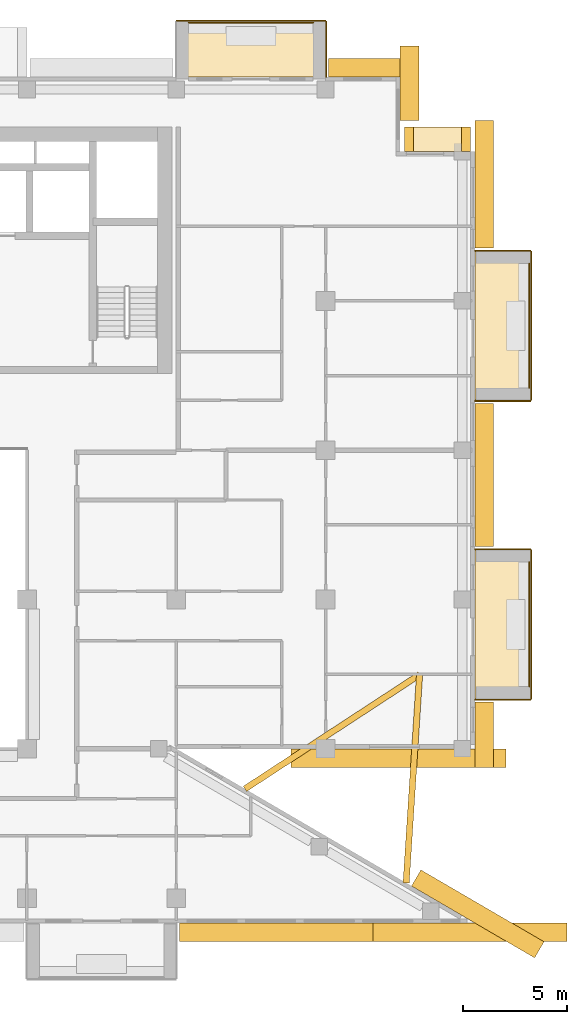
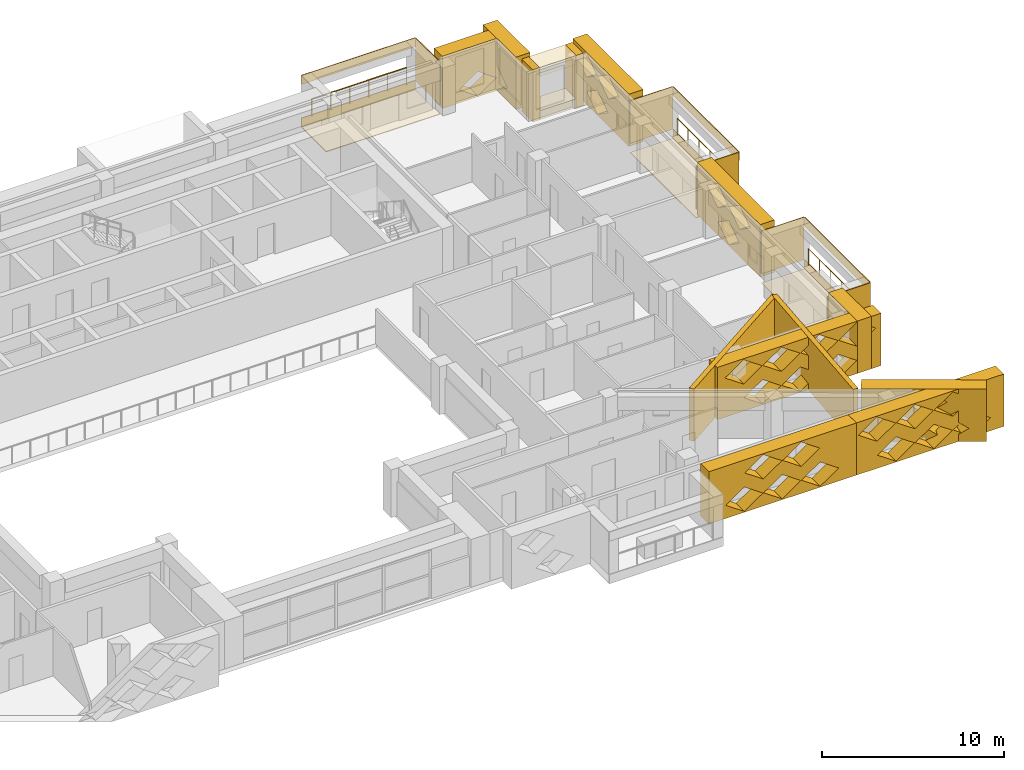
# One storey, part 20 of 20: 29 coverings, 3 railings.
"""IFC4 building model written with IfcOpenShell, lengths in metres."""

from ifc_helpers import new_model, si_unit, direction, frame, origin, origin_2d, place, context, subcontext, project, spatial, polyline, circle, outline, extrude, material, layer, layer_set, type_object, element, save


model = new_model("IFC4")

# Units and contexts
model_context = context("Model", 3, precision=1e-05, world=origin(), true_north=direction((0.0, 1.0)))
body_context = subcontext(model_context, "Body", "Model", "MODEL_VIEW")
ifc_project = project(units=[si_unit("LENGTHUNIT", "METRE"), si_unit("AREAUNIT", "SQUARE_METRE"), si_unit("VOLUMEUNIT", "CUBIC_METRE"), si_unit("PLANEANGLEUNIT", "RADIAN"), si_unit("MASSUNIT", "GRAM", prefix="KILO")], contexts=[model_context])

# Site, building, storey
site_placement = place(None, origin())
site = spatial("IfcSite", under=ifc_project, at=site_placement, CompositionType="ELEMENT")
building_placement = place(site_placement, origin())
building = spatial("IfcBuilding", under=site, at=building_placement, Name="Saffron Iwan Residences", CompositionType="ELEMENT")
storey_placement = place(building_placement, frame((0.0, 0.0, 188.5)))
storey = spatial("IfcBuildingStorey", under=building, at=storey_placement, Name="L50", CompositionType="ELEMENT", Elevation=188.5)

# Railings
ifc_material_1 = material(Name="Stainless steel 316", Category="steel")
railing_type = type_object("IfcRailingType", Name="BALCONY GUARD 1150", PredefinedType="GUARDRAIL", material=ifc_material_1)
for number, where, name in (
    (1, (89.02490234375, 51.0, 0.0), "Balcony guard L50 F2-0"),
    (2, (89.02490234375, 65.39990234375, 0.0), "Balcony guard L50 F2-1"),
):
    element("IfcRailing", number, at=place(storey_placement, frame(where)), inside=storey, type_object=railing_type, Name=name, PredefinedType="GUARDRAIL", context=body_context, shape_type="SweptSolid", body=[
        extrude(circle(Radius=0.02392578125, at=origin_2d()), frame((0.0, 0.0, 1.1259765625), z_axis=(0.0, 1.0, 0.0), x_axis=(-1.0, 0.0, 0.0)), (0.0, 0.0, 1.0), 6.0),
        extrude(circle(Radius=0.02099609375, at=origin_2d()), origin(), (0.0, 0.0, 1.0), 1.101806640625),
        extrude(circle(Radius=0.02099609375, at=origin_2d()), frame((0.0, 1.199951171875, 0.0)), (0.0, 0.0, 1.0), 1.101806640625),
        extrude(circle(Radius=0.02099609375, at=origin_2d()), frame((0.0, 2.39990234375, 0.0)), (0.0, 0.0, 1.0), 1.101806640625),
        extrude(circle(Radius=0.02099609375, at=origin_2d()), frame((0.0, 3.60009765625, 0.0)), (0.0, 0.0, 1.0), 1.101806640625),
        extrude(circle(Radius=0.02099609375, at=origin_2d()), frame((0.0, 4.800048828125, 0.0)), (0.0, 0.0, 1.0), 1.101806640625),
        extrude(circle(Radius=0.02099609375, at=origin_2d()), frame((0.0, 6.0, 0.0)), (0.0, 0.0, 1.0), 1.101806640625),
    ])
railing_placement = place(storey_placement, frame((78.60009765625, 83.02490234375, 0.0)))
element("IfcRailing", 3, at=railing_placement, inside=storey, type_object=railing_type, Name="Balcony guard L50 F5-0", PredefinedType="GUARDRAIL", context=body_context, shape_type="SweptSolid", body=[
    extrude(circle(Radius=0.02392578125, at=origin_2d()), frame((0.0, 0.0, 1.1259765625), z_axis=(-1.0, 0.0, 0.0), x_axis=(0.0, -1.0, 0.0)), (0.0, 0.0, 1.0), 6.0),
    extrude(circle(Radius=0.02099609375, at=origin_2d()), origin(), (0.0, 0.0, 1.0), 1.101806640625),
    extrude(circle(Radius=0.02099609375, at=origin_2d()), frame((-1.199951171875, 0.0, 0.0)), (0.0, 0.0, 1.0), 1.101806640625),
    extrude(circle(Radius=0.02099609375, at=origin_2d()), frame((-2.39990234375, 0.0, 0.0)), (0.0, 0.0, 1.0), 1.101806640625),
    extrude(circle(Radius=0.02099609375, at=origin_2d()), frame((-3.60009765625, 0.0, 0.0)), (0.0, 0.0, 1.0), 1.101806640625),
    extrude(circle(Radius=0.02099609375, at=origin_2d()), frame((-4.800048828125, 0.0, 0.0)), (0.0, 0.0, 1.0), 1.101806640625),
    extrude(circle(Radius=0.02099609375, at=origin_2d()), frame((-6.0, 0.0, 0.0)), (0.0, 0.0, 1.0), 1.101806640625),
])

# Coverings
ifc_material_2 = material(Name="Precast concrete C40/50 white painted", Category="concrete")
ifc_layer_1 = layer(ifc_material_2, 0.050048828125)
ifc_layer_set_1 = layer_set([ifc_layer_1], Name="Precast concrete C40/50 white painted")
covering_type_1 = type_object("IfcCoveringType", Name="FRAME SKIN PRECAST WHITE 50", PredefinedType="CLADDING", material=ifc_layer_set_1)
for number, where, name in (
    (4, (0.0, 0.0, -0.60009765625), "Frame skin slab edge L50 F2-0"),
    (5, (0.0, 0.0, 2.25), "Frame skin fascia L50 F2-0"),
):
    element("IfcCovering", number, at=place(storey_placement, frame(where)), inside=storey, type_object=covering_type_1, Name=name, PredefinedType="CLADDING", context=body_context, shape_type="SweptSolid", body=[
        extrude(outline(polyline([(89.14990234375, 50.39990234375), (89.14990234375, 57.60009765625), (89.10009765625, 57.60009765625), (89.10009765625, 50.39990234375), (89.14990234375, 50.39990234375)])), origin(), (0.0, 0.0, 1.0), 0.60009765625),
    ])
covering_1_placement = place(storey_placement, frame((0.0, 0.0, -0.64990234375)))
element("IfcCovering", 6, at=covering_1_placement, inside=storey, type_object=covering_type_1, Name="Frame skin soffit L50 F2-0", PredefinedType="CLADDING", context=body_context, shape_type="SweptSolid", body=[
    extrude(outline(polyline([(89.10009765625, 50.39990234375), (89.10009765625, 57.60009765625), (86.39990234375, 57.60009765625), (86.39990234375, 50.39990234375), (89.10009765625, 50.39990234375)])), origin(), (0.0, 0.0, 1.0), 0.0498046875),
])
covering_2_placement = place(storey_placement, origin())
element("IfcCovering", 7, at=covering_2_placement, inside=storey, type_object=covering_type_1, Name="Frame skin fin L50 F2-0a", PredefinedType="CLADDING", context=body_context, shape_type="SweptSolid", body=[
    extrude(outline(polyline([(89.10009765625, 50.35009765625), (89.10009765625, 50.39990234375), (86.39990234375, 50.39990234375), (86.39990234375, 50.35009765625), (89.10009765625, 50.35009765625)])), origin(), (0.0, 0.0, 1.0), 2.85009765625),
])
covering_3_placement = place(storey_placement, origin())
element("IfcCovering", 8, at=covering_3_placement, inside=storey, type_object=covering_type_1, Name="Frame skin fin L50 F2-0b", PredefinedType="CLADDING", context=body_context, shape_type="SweptSolid", body=[
    extrude(outline(polyline([(89.10009765625, 57.60009765625), (89.10009765625, 57.64990234375), (86.39990234375, 57.64990234375), (86.39990234375, 57.60009765625), (89.10009765625, 57.60009765625)])), origin(), (0.0, 0.0, 1.0), 2.85009765625),
])
for number, where, name in (
    (9, (0.0, 0.0, -0.60009765625), "Frame skin slab edge L50 F2-1"),
    (10, (0.0, 0.0, 2.25), "Frame skin fascia L50 F2-1"),
):
    element("IfcCovering", number, at=place(storey_placement, frame(where)), inside=storey, type_object=covering_type_1, Name=name, PredefinedType="CLADDING", context=body_context, shape_type="SweptSolid", body=[
        extrude(outline(polyline([(89.14990234375, 64.800048828125), (89.14990234375, 72.0), (89.10009765625, 72.0), (89.10009765625, 64.800048828125), (89.14990234375, 64.800048828125)])), origin(), (0.0, 0.0, 1.0), 0.60009765625),
    ])
covering_4_placement = place(storey_placement, frame((0.0, 0.0, -0.64990234375)))
element("IfcCovering", 11, at=covering_4_placement, inside=storey, type_object=covering_type_1, Name="Frame skin soffit L50 F2-1", PredefinedType="CLADDING", context=body_context, shape_type="SweptSolid", body=[
    extrude(outline(polyline([(89.10009765625, 64.800048828125), (89.10009765625, 72.0), (86.39990234375, 72.0), (86.39990234375, 64.800048828125), (89.10009765625, 64.800048828125)])), origin(), (0.0, 0.0, 1.0), 0.0498046875),
])
covering_5_placement = place(storey_placement, origin())
element("IfcCovering", 12, at=covering_5_placement, inside=storey, type_object=covering_type_1, Name="Frame skin fin L50 F2-1a", PredefinedType="CLADDING", context=body_context, shape_type="SweptSolid", body=[
    extrude(outline(polyline([(89.10009765625, 64.75), (89.10009765625, 64.800048828125), (86.39990234375, 64.800048828125), (86.39990234375, 64.75), (89.10009765625, 64.75)])), origin(), (0.0, 0.0, 1.0), 2.85009765625),
])
covering_6_placement = place(storey_placement, origin())
element("IfcCovering", 13, at=covering_6_placement, inside=storey, type_object=covering_type_1, Name="Frame skin fin L50 F2-1b", PredefinedType="CLADDING", context=body_context, shape_type="SweptSolid", body=[
    extrude(outline(polyline([(89.10009765625, 72.0), (89.10009765625, 72.050048828125), (86.39990234375, 72.050048828125), (86.39990234375, 72.0), (89.10009765625, 72.0)])), origin(), (0.0, 0.0, 1.0), 2.85009765625),
])
for number, where, name in (
    (14, (0.0, 0.0, -0.60009765625), "Frame skin slab edge L50 F5-0"),
    (15, (0.0, 0.0, 2.25), "Frame skin fascia L50 F5-0"),
):
    element("IfcCovering", number, at=place(storey_placement, frame(where)), inside=storey, type_object=covering_type_1, Name=name, PredefinedType="CLADDING", context=body_context, shape_type="SweptSolid", body=[
        extrude(outline(polyline([(79.199951171875, 83.14990234375), (72.0, 83.14990234375), (72.0, 83.10009765625), (79.199951171875, 83.10009765625), (79.199951171875, 83.14990234375)])), origin(), (0.0, 0.0, 1.0), 0.60009765625),
    ])
covering_7_placement = place(storey_placement, frame((0.0, 0.0, -0.64990234375)))
element("IfcCovering", 16, at=covering_7_placement, inside=storey, type_object=covering_type_1, Name="Frame skin soffit L50 F5-0", PredefinedType="CLADDING", context=body_context, shape_type="SweptSolid", body=[
    extrude(outline(polyline([(79.199951171875, 83.10009765625), (72.0, 83.10009765625), (72.0, 80.39990234375), (79.199951171875, 80.39990234375), (79.199951171875, 83.10009765625)])), origin(), (0.0, 0.0, 1.0), 0.0498046875),
])
covering_8_placement = place(storey_placement, origin())
element("IfcCovering", 17, at=covering_8_placement, inside=storey, type_object=covering_type_1, Name="Frame skin fin L50 F5-0a", PredefinedType="CLADDING", context=body_context, shape_type="SweptSolid", body=[
    extrude(outline(polyline([(79.25, 83.10009765625), (79.199951171875, 83.10009765625), (79.199951171875, 80.39990234375), (79.25, 80.39990234375), (79.25, 83.10009765625)])), origin(), (0.0, 0.0, 1.0), 2.85009765625),
])
ifc_material_3 = material(Name="Precast concrete C40/50", Category="concrete")
covering_type_2 = type_object("IfcCoveringType", Name="OUTER SKIN LATTICE SCREEN", PredefinedType="CLADDING", material=ifc_material_3)
covering_9_placement = place(storey_placement, frame((89.283935546875, 37.917724609375, -0.300048828125), z_axis=(0.503803550485, 0.863818257806, 0.0), x_axis=(-0.863818257806, 0.503803550485, 0.0)))
element("IfcCovering", 18, at=covering_9_placement, inside=storey, type_object=covering_type_2, Name="OUTER SKIN lattice screen L50 F0.0", PredefinedType="CLADDING", context=body_context, shape_type="SweptSolid", body=[
    extrude(outline(polyline([(0.0, 0.0), (6.874267578125, 0.0), (6.874267578125, 3.5), (0.0, 3.5), (0.0, 0.0)]), holes=[polyline([(0.958740234375, 0.875), (2.138671875, 0.06005859375), (3.318603515625, 0.875), (2.138671875, 1.68994140625), (0.958740234375, 0.875)]), polyline([(3.358642578125, 0.875), (4.538818359375, 0.06005859375), (5.71875, 0.875), (4.538818359375, 1.68994140625), (3.358642578125, 0.875)]), polyline([(2.15869140625, 2.625), (3.338623046875, 1.81005859375), (4.518798828125, 2.625), (3.338623046875, 3.43994140625), (2.15869140625, 2.625)])]), origin(), (0.0, 0.0, 1.0), 0.89990234375),
])
covering_10_placement = place(storey_placement, frame((77.538818359375, 48.0, -0.300048828125), z_axis=(0.0, -1.0, 0.0), x_axis=(1.0, 0.0, 0.0)))
element("IfcCovering", 19, at=covering_10_placement, inside=storey, type_object=covering_type_2, Name="OUTER SKIN lattice screen L50 F1.0", PredefinedType="CLADDING", context=body_context, shape_type="SweptSolid", body=[
    extrude(outline(polyline([(0.0, 0.0), (10.361328125, 0.0), (10.361328125, 3.5), (0.0, 3.5), (0.0, 0.0)]), holes=[polyline([(1.681396484375, 0.875), (2.861328125, 0.06005859375), (4.041259765625, 0.875), (2.861328125, 1.68994140625), (1.681396484375, 0.875)]), polyline([(4.081298828125, 0.875), (5.26123046875, 0.06005859375), (6.44140625, 0.875), (5.26123046875, 1.68994140625), (4.081298828125, 0.875)]), polyline([(6.481201171875, 0.875), (7.661376953125, 0.06005859375), (8.84130859375, 0.875), (7.661376953125, 1.68994140625), (6.481201171875, 0.875)]), polyline([(0.481201171875, 2.625), (1.661376953125, 1.81005859375), (2.84130859375, 2.625), (1.661376953125, 3.43994140625), (0.481201171875, 2.625)]), polyline([(2.88134765625, 2.625), (4.061279296875, 1.81005859375), (5.2412109375, 2.625), (4.061279296875, 3.43994140625), (2.88134765625, 2.625)]), polyline([(5.28125, 2.625), (6.461181640625, 1.81005859375), (7.641357421875, 2.625), (6.461181640625, 3.43994140625), (5.28125, 2.625)]), polyline([(7.681396484375, 2.625), (8.861328125, 1.81005859375), (10.041259765625, 2.625), (8.861328125, 3.43994140625), (7.681396484375, 2.625)])]), origin(), (0.0, 0.0, 1.0), 0.89990234375),
])
covering_11_placement = place(storey_placement, frame((86.39990234375, 47.10009765625, -0.300048828125), z_axis=(1.0, 0.0, 0.0), x_axis=(0.0, 1.0, 0.0)))
element("IfcCovering", 20, at=covering_11_placement, inside=storey, type_object=covering_type_2, Name="OUTER SKIN lattice screen L50 F2.0", PredefinedType="CLADDING", context=body_context, shape_type="SweptSolid", body=[
    extrude(outline(polyline([(0.0, 0.0), (3.14990234375, 0.0), (3.14990234375, 3.5), (0.0, 3.5), (0.0, 0.0)])), origin(), (0.0, 0.0, 1.0), 0.900146484375),
])
covering_12_placement = place(storey_placement, frame((86.39990234375, 57.75, -0.300048828125), z_axis=(1.0, 0.0, 0.0), x_axis=(0.0, 1.0, 0.0)))
element("IfcCovering", 21, at=covering_12_placement, inside=storey, type_object=covering_type_2, Name="OUTER SKIN lattice screen L50 F2.1", PredefinedType="CLADDING", context=body_context, shape_type="SweptSolid", body=[
    extrude(outline(polyline([(0.0, 0.0), (6.89990234375, 0.0), (6.89990234375, 3.5), (0.0, 3.5), (0.0, 0.0)]), holes=[polyline([(2.27001953125, 0.875), (3.449951171875, 0.06005859375), (4.6298828125, 0.875), (3.449951171875, 1.68994140625), (2.27001953125, 0.875)]), polyline([(1.070068359375, 2.625), (2.25, 1.81005859375), (3.429931640625, 2.625), (2.25, 3.43994140625), (1.070068359375, 2.625)]), polyline([(3.469970703125, 2.625), (4.64990234375, 1.81005859375), (5.830078125, 2.625), (4.64990234375, 3.43994140625), (3.469970703125, 2.625)])]), origin(), (0.0, 0.0, 1.0), 0.900146484375),
])
covering_13_placement = place(storey_placement, frame((86.39990234375, 72.14990234375, -0.300048828125), z_axis=(1.0, 0.0, 0.0), x_axis=(0.0, 1.0, 0.0)))
element("IfcCovering", 22, at=covering_13_placement, inside=storey, type_object=covering_type_2, Name="OUTER SKIN lattice screen L50 F2.2", PredefinedType="CLADDING", context=body_context, shape_type="SweptSolid", body=[
    extrude(outline(polyline([(0.0, 0.0), (6.14990234375, 0.0), (6.14990234375, 3.5), (0.0, 3.5), (0.0, 0.0)]), holes=[polyline([(2.27001953125, 0.875), (3.449951171875, 0.06005859375), (4.6298828125, 0.875), (3.449951171875, 1.68994140625), (2.27001953125, 0.875)]), polyline([(1.070068359375, 2.625), (2.25, 1.81005859375), (3.429931640625, 2.625), (2.25, 3.43994140625), (1.070068359375, 2.625)]), polyline([(3.469970703125, 2.625), (4.64990234375, 1.81005859375), (5.830078125, 2.625), (4.64990234375, 3.43994140625), (3.469970703125, 2.625)])]), origin(), (0.0, 0.0, 1.0), 0.900146484375),
])
covering_14_placement = place(storey_placement, frame((82.800048828125, 78.300048828125, -0.300048828125), z_axis=(1.0, 0.0, 0.0), x_axis=(0.0, 1.0, 0.0)))
element("IfcCovering", 23, at=covering_14_placement, inside=storey, type_object=covering_type_2, Name="OUTER SKIN lattice screen L50 F4.0", PredefinedType="CLADDING", context=body_context, shape_type="SweptSolid", body=[
    extrude(outline(polyline([(0.0, 0.0), (3.60009765625, 0.0), (3.60009765625, 3.5), (0.0, 3.5), (0.0, 0.0)]), holes=[polyline([(0.919921875, 0.875), (2.10009765625, 0.06005859375), (3.280029296875, 0.875), (2.10009765625, 1.68994140625), (0.919921875, 0.875)])]), origin(), (0.0, 0.0, 1.0), 0.89990234375),
])
covering_15_placement = place(storey_placement, frame((83.699951171875, 80.39990234375, -0.300048828125), z_axis=(0.0, 1.0, 0.0), x_axis=(-1.0, 0.0, 0.0)))
element("IfcCovering", 24, at=covering_15_placement, inside=storey, type_object=covering_type_2, Name="OUTER SKIN lattice screen L50 F5.0", PredefinedType="CLADDING", context=body_context, shape_type="SweptSolid", body=[
    extrude(outline(polyline([(0.0, 0.0), (4.35009765625, 0.0), (4.35009765625, 3.5), (0.0, 3.5), (0.0, 0.0)]), holes=[polyline([(0.919921875, 0.875), (2.10009765625, 0.06005859375), (3.280029296875, 0.875), (2.10009765625, 1.68994140625), (0.919921875, 0.875)])]), origin(), (0.0, 0.0, 1.0), 0.900146484375),
])
covering_16_placement = place(storey_placement, frame((72.14990234375, 39.60009765625, -0.300048828125), z_axis=(0.0, -1.0, 0.0), x_axis=(1.0, 0.0, 0.0)))
element("IfcCovering", 25, at=covering_16_placement, inside=storey, type_object=covering_type_2, Name="OUTER SKIN lattice screen L50 F11.3", PredefinedType="CLADDING", context=body_context, shape_type="SweptSolid", body=[
    extrude(outline(polyline([(0.0, 0.0), (9.34423828125, 0.0), (9.34423828125, 3.5), (0.0, 3.5), (0.0, 0.0)]), holes=[polyline([(1.070068359375, 0.875), (2.25, 0.06005859375), (3.429931640625, 0.875), (2.25, 1.68994140625), (1.070068359375, 0.875)]), polyline([(3.469970703125, 0.875), (4.64990234375, 0.06005859375), (5.830078125, 0.875), (4.64990234375, 1.68994140625), (3.469970703125, 0.875)]), polyline([(5.8701171875, 0.875), (7.050048828125, 0.06005859375), (8.22998046875, 0.875), (7.050048828125, 1.68994140625), (5.8701171875, 0.875)]), polyline([(2.27001953125, 2.625), (3.449951171875, 1.81005859375), (4.6298828125, 2.625), (3.449951171875, 3.43994140625), (2.27001953125, 2.625)]), polyline([(4.669921875, 2.625), (5.85009765625, 1.81005859375), (7.030029296875, 2.625), (5.85009765625, 3.43994140625), (4.669921875, 2.625)])]), origin(), (0.0, 0.0, 1.0), 0.900146484375),
])
covering_17_placement = place(storey_placement, frame((81.494384765625, 39.60009765625, -0.300048828125), z_axis=(0.0, -1.0, 0.0), x_axis=(1.0, 0.0, 0.0)))
element("IfcCovering", 26, at=covering_17_placement, inside=storey, type_object=covering_type_2, Name="OUTER SKIN lattice screen L50 F11.4", PredefinedType="CLADDING", context=body_context, shape_type="SweptSolid", body=[
    extrude(outline(polyline([(0.0, 0.0), (9.344482421875, 0.0), (9.344482421875, 3.5), (0.0, 3.5), (0.0, 0.0)]), holes=[polyline([(1.32568359375, 0.875), (2.505615234375, 0.06005859375), (3.685791015625, 0.875), (2.505615234375, 1.68994140625), (1.32568359375, 0.875)]), polyline([(3.7255859375, 0.875), (4.90576171875, 0.06005859375), (6.085693359375, 0.875), (4.90576171875, 1.68994140625), (3.7255859375, 0.875)]), polyline([(6.125732421875, 0.875), (7.3056640625, 0.06005859375), (8.485595703125, 0.875), (7.3056640625, 1.68994140625), (6.125732421875, 0.875)]), polyline([(0.125732421875, 2.625), (1.3056640625, 1.81005859375), (2.485595703125, 2.625), (1.3056640625, 3.43994140625), (0.125732421875, 2.625)]), polyline([(2.525634765625, 2.625), (3.705810546875, 1.81005859375), (4.8857421875, 2.625), (3.705810546875, 3.43994140625), (2.525634765625, 2.625)]), polyline([(4.92578125, 2.625), (6.105712890625, 1.81005859375), (7.28564453125, 2.625), (6.105712890625, 3.43994140625), (4.92578125, 2.625)])]), origin(), (0.0, 0.0, 1.0), 0.900146484375),
])
ifc_layer_2 = layer(ifc_material_2, 0.300048828125)
ifc_layer_set_2 = layer_set([ifc_layer_2], Name="Precast concrete C40/50 white painted")
covering_type_3 = type_object("IfcCoveringType", Name="PROW NOSE BLADE PRECAST WHITE", PredefinedType="CLADDING", material=ifc_layer_set_2)
covering_18_placement = place(storey_placement, frame((0.0, 0.0, -0.300048828125)))
element("IfcCovering", 27, at=covering_18_placement, inside=storey, type_object=covering_type_3, Name="Prow nose blade L50 a", PredefinedType="CLADDING", context=body_context, shape_type="SweptSolid", body=[
    extrude(outline(polyline([(83.23681640625, 41.52294921875), (83.884521484375, 51.564453125), (83.585205078125, 51.583740234375), (82.937255859375, 41.542236328125), (83.23681640625, 41.52294921875)])), origin(), (0.0, 0.0, 1.0), 3.5),
])
covering_19_placement = place(storey_placement, frame((0.0, 0.0, -0.300048828125)))
element("IfcCovering", 28, at=covering_19_placement, inside=storey, type_object=covering_type_3, Name="Prow nose blade L50 b", PredefinedType="CLADDING", context=body_context, shape_type="SweptSolid", body=[
    extrude(outline(polyline([(75.39501953125, 45.94189453125), (83.81689453125, 51.448486328125), (83.65283203125, 51.69970703125), (75.23095703125, 46.193115234375), (75.39501953125, 45.94189453125)])), origin(), (0.0, 0.0, 1.0), 3.5),
])
covering_type_4 = type_object("IfcCoveringType", Name="WHITE SUN FRAME PRECAST", PredefinedType="CLADDING", material=ifc_material_2)
for number, where, z_axis, x_axis, name in (
    (29, (86.199951171875, 76.800048828125, -0.300048828125), (0.0, 1.0, 0.0), (-1.0, 0.0, 0.0), "Sun frame L50 F3 0.2a"),
    (30, (83.449951171875, 76.800048828125, -0.300048828125), (0.0, 1.0, 0.0), (-1.0, 0.0, 0.0), "Sun frame L50 F3 0.2b"),
):
    element("IfcCovering", number, at=place(storey_placement, frame(where, z_axis=z_axis, x_axis=x_axis)), inside=storey, type_object=covering_type_4, Name=name, PredefinedType="CLADDING", context=body_context, shape_type="SweptSolid", body=[
        extrude(outline(polyline([(0.0, 0.0), (0.449951171875, 0.0), (0.449951171875, 3.5), (0.0, 3.5), (0.0, 0.0)])), origin(), (0.0, 0.0, 1.0), 1.199951171875),
    ])
for number, where, z_axis, x_axis, name in (
    (31, (85.75, 76.800048828125, 2.60009765625), (0.0, 1.0, 0.0), (-1.0, 0.0, 0.0), "Sun frame L50 F3 0.2h"),
    (32, (85.75, 76.800048828125, -0.300048828125), (0.0, 1.0, 0.0), (-1.0, 0.0, 0.0), "Sun frame L50 F3 0.2s"),
):
    element("IfcCovering", number, at=place(storey_placement, frame(where, z_axis=z_axis, x_axis=x_axis)), inside=storey, type_object=covering_type_4, Name=name, PredefinedType="CLADDING", context=body_context, shape_type="SweptSolid", body=[
        extrude(outline(polyline([(0.0, 0.0), (2.300048828125, 0.0), (2.300048828125, 0.60009765625), (0.0, 0.60009765625), (0.0, 0.0)])), origin(), (0.0, 0.0, 1.0), 1.199951171875),
    ])

save(model, "model.ifc")
